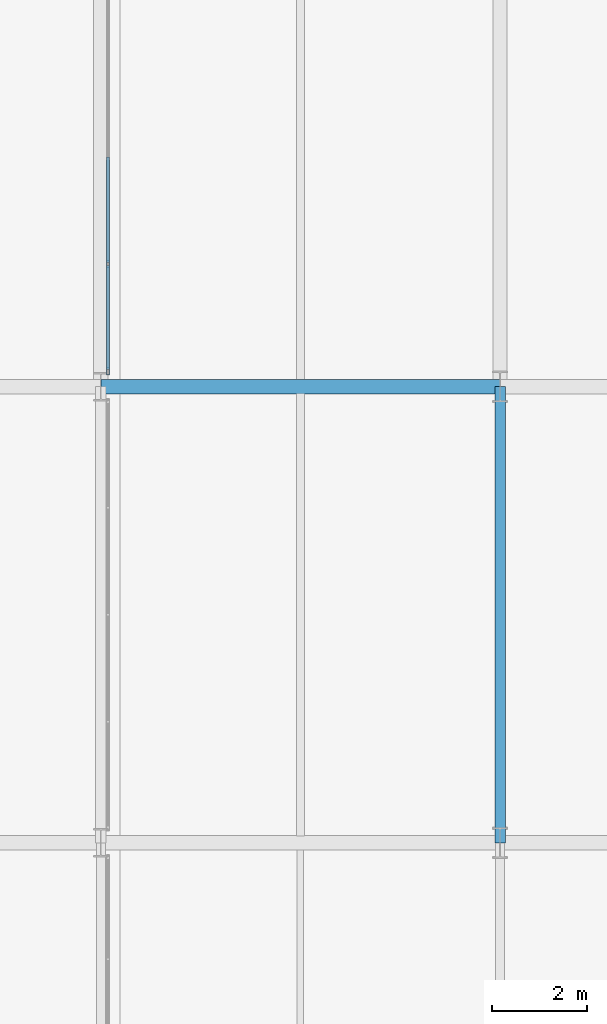
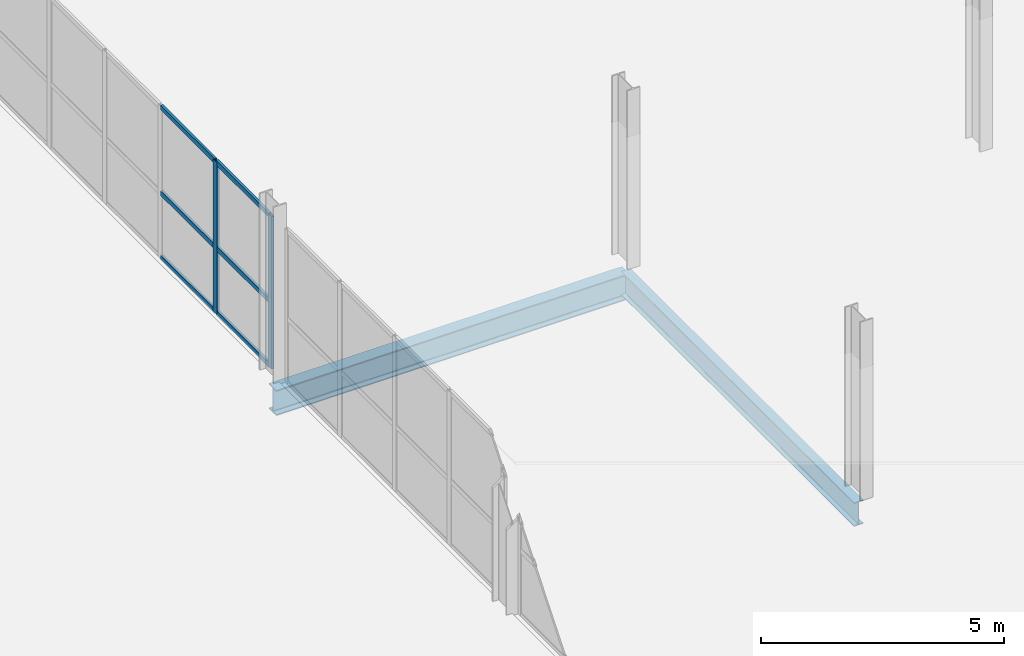
# One storey, part 39 of 130: 8 members, 2 beams, 1 element without a shape of its own.
"""IFC4 building model written with IfcOpenShell, lengths in metres."""

from ifc_helpers import new_model, si_unit, direction, frame, origin, origin_2d, place, context, subcontext, project, spatial, hollow_rectangle, i_section, extrude, material, material_profile, profile_set, type_object, element, aggregate, save


model = new_model("IFC4")

# Units and contexts
model_context = context("Model", 3, precision=1e-05, world=origin(), true_north=direction((0.0, 1.0)))
body_context = subcontext(model_context, "Body", "Model", "MODEL_VIEW")
ifc_project = project(units=[si_unit("LENGTHUNIT", "METRE"), si_unit("AREAUNIT", "SQUARE_METRE"), si_unit("VOLUMEUNIT", "CUBIC_METRE"), si_unit("PLANEANGLEUNIT", "RADIAN"), si_unit("MASSUNIT", "GRAM", prefix="KILO")], contexts=[model_context])

# Site, building, storey
site_placement = place(None, origin())
site = spatial("IfcSite", under=ifc_project, at=site_placement, CompositionType="ELEMENT")
building_placement = place(site_placement, origin())
building = spatial("IfcBuilding", under=site, at=building_placement, Name="Veltarok Museum of Natural Sciences", CompositionType="ELEMENT")
storey_placement = place(building_placement, frame((0.0, 0.0, 12.89990234375)))
storey = spatial("IfcBuildingStorey", under=building, at=storey_placement, Name="L02", CompositionType="ELEMENT", Elevation=12.89990234375)

# Curtain wall, members
ifc_material_1 = material(Name="Low-iron triple insulated glass", Category="glass")
curtain_wall_type = type_object("IfcCurtainWallType", Name="Curtain Wall System CW-V2W-L02-1-1140x383 (CW-V2W L02 1140x383cm)", PredefinedType="NOTDEFINED", material=ifc_material_1)
curtain_wall_placement = place(storey_placement, origin())
curtain_wall = element("IfcCurtainWall", 1, at=curtain_wall_placement, inside=storey, type_object=curtain_wall_type, Name="Curtain Wall CW-V2W-L02-1-1140x383 CW-0141", PredefinedType="NOTDEFINED")
ifc_material_2 = material(Name="Thermally broken anodised aluminium", Category="aluminium")
ifc_material_profile_1 = material_profile(ifc_material_2, hollow_rectangle(XDim=0.06005859375, YDim=0.1201171875, WallThickness=0.0048828125, at=origin_2d()), Name="CW TRANSOM 60x120x5")
ifc_profile_set_1 = profile_set([ifc_material_profile_1], Name="Thermally broken anodised aluminium")
member_type_1 = type_object("IfcMemberType", Name="Curtain Wall Horizontal Transom 60x120x5", PredefinedType="USERDEFINED", material=ifc_profile_set_1)
member_1_placement = place(storey_placement, frame((40.14990234375, 36.360107421875, 0.028076171875), z_axis=(0.0, 1.0, 0.0), x_axis=(-1.0, 0.0, 0.0)))
member_1 = element("IfcMember", 2, at=member_1_placement, type_object=member_type_1, Name="CW-V2W-L02-1-1140x383 transom 1.1", ObjectType="TRANSOM", PredefinedType="USERDEFINED", context=body_context, shape_type="SweptSolid", body=[
    extrude(hollow_rectangle(XDim=0.06005859375, YDim=0.1201171875, WallThickness=0.0048828125, at=origin_2d()), origin(), (0.0, 0.0, 1.0), 2.18994140625),
])
member_2_placement = place(storey_placement, frame((40.14990234375, 36.360107421875, 1.648193359375), z_axis=(0.0, 1.0, 0.0), x_axis=(-1.0, 0.0, 0.0)))
member_2 = element("IfcMember", 3, at=member_2_placement, type_object=member_type_1, Name="CW-V2W-L02-1-1140x383 transom 1.2", ObjectType="TRANSOM", PredefinedType="USERDEFINED", context=body_context, shape_type="SweptSolid", body=[
    extrude(hollow_rectangle(XDim=0.06005859375, YDim=0.1201171875, WallThickness=0.0048828125, at=origin_2d()), origin(), (0.0, 0.0, 1.0), 2.18994140625),
])
member_3_placement = place(storey_placement, frame((40.14990234375, 36.360107421875, 3.800048828125), z_axis=(0.0, 1.0, 0.0), x_axis=(-1.0, 0.0, 0.0)))
member_3 = element("IfcMember", 4, at=member_3_placement, type_object=member_type_1, Name="CW-V2W-L02-1-1140x383 transom 1.3", ObjectType="TRANSOM", PredefinedType="USERDEFINED", context=body_context, shape_type="SweptSolid", body=[
    extrude(hollow_rectangle(XDim=0.06005859375, YDim=0.1201171875, WallThickness=0.0048828125, at=origin_2d()), origin(), (0.0, 0.0, 1.0), 2.18994140625),
])
member_4_placement = place(storey_placement, frame((40.14990234375, 38.610107421875, 0.028076171875), z_axis=(0.0, 1.0, 0.0), x_axis=(-1.0, 0.0, 0.0)))
member_4 = element("IfcMember", 5, at=member_4_placement, type_object=member_type_1, Name="CW-V2W-L02-1-1140x383 transom 2.1", ObjectType="TRANSOM", PredefinedType="USERDEFINED", context=body_context, shape_type="SweptSolid", body=[
    extrude(hollow_rectangle(XDim=0.06005859375, YDim=0.1201171875, WallThickness=0.0048828125, at=origin_2d()), origin(), (0.0, 0.0, 1.0), 2.219970703125),
])
member_5_placement = place(storey_placement, frame((40.14990234375, 38.610107421875, 1.648193359375), z_axis=(0.0, 1.0, 0.0), x_axis=(-1.0, 0.0, 0.0)))
member_5 = element("IfcMember", 6, at=member_5_placement, type_object=member_type_1, Name="CW-V2W-L02-1-1140x383 transom 2.2", ObjectType="TRANSOM", PredefinedType="USERDEFINED", context=body_context, shape_type="SweptSolid", body=[
    extrude(hollow_rectangle(XDim=0.06005859375, YDim=0.1201171875, WallThickness=0.0048828125, at=origin_2d()), origin(), (0.0, 0.0, 1.0), 2.219970703125),
])
member_6_placement = place(storey_placement, frame((40.14990234375, 38.610107421875, 3.800048828125), z_axis=(0.0, 1.0, 0.0), x_axis=(-1.0, 0.0, 0.0)))
member_6 = element("IfcMember", 7, at=member_6_placement, type_object=member_type_1, Name="CW-V2W-L02-1-1140x383 transom 2.3", ObjectType="TRANSOM", PredefinedType="USERDEFINED", context=body_context, shape_type="SweptSolid", body=[
    extrude(hollow_rectangle(XDim=0.06005859375, YDim=0.1201171875, WallThickness=0.0048828125, at=origin_2d()), origin(), (0.0, 0.0, 1.0), 2.219970703125),
])
ifc_material_profile_2 = material_profile(ifc_material_2, hollow_rectangle(XDim=0.06005859375, YDim=0.159912109375, WallThickness=0.0048828125, at=origin_2d()), Name="CW MULLION 60x160x5")
ifc_profile_set_2 = profile_set([ifc_material_profile_2], Name="Thermally broken anodised aluminium")
member_type_2 = type_object("IfcMemberType", Name="Curtain Wall Vertical Mullion 60x160x5", PredefinedType="MULLION", material=ifc_profile_set_2)
member_7_placement = place(storey_placement, frame((40.14990234375, 36.330078125, -0.001953125), z_axis=(0.0, 0.0, 1.0), x_axis=(-1.0, 0.0, 0.0)))
member_7 = element("IfcMember", 8, at=member_7_placement, type_object=member_type_2, Name="CW-V2W-L02-1-1140x383 mullion 1", PredefinedType="MULLION", context=body_context, shape_type="SweptSolid", body=[
    extrude(hollow_rectangle(XDim=0.06005859375, YDim=0.159912109375, WallThickness=0.0048828125, at=origin_2d()), origin(), (0.0, 0.0, 1.0), 3.83203125),
])
member_8_placement = place(storey_placement, frame((40.14990234375, 38.580078125, -0.001953125), z_axis=(0.0, 0.0, 1.0), x_axis=(-1.0, 0.0, 0.0)))
member_8 = element("IfcMember", 9, at=member_8_placement, type_object=member_type_2, Name="CW-V2W-L02-1-1140x383 mullion 2", PredefinedType="MULLION", context=body_context, shape_type="SweptSolid", body=[
    extrude(hollow_rectangle(XDim=0.06005859375, YDim=0.159912109375, WallThickness=0.0048828125, at=origin_2d()), origin(), (0.0, 0.0, 1.0), 3.83203125),
])
aggregate(curtain_wall, [member_7, member_8, member_1, member_2, member_3, member_4, member_5, member_6])

# Beams
ifc_material_3 = material(Name="Steel S355J2", Category="steel")
ifc_material_profile_3 = material_profile(ifc_material_3, i_section(OverallWidth=0.300048828125, OverallDepth=0.639892578125, WebThickness=0.013427734375, FlangeThickness=0.02587890625, FilletRadius=0.027099609375, at=origin_2d()), Name="HEA 650")
ifc_profile_set_3 = profile_set([ifc_material_profile_3], Name="Steel S355J2")
beam_type_1 = type_object("IfcBeamType", Name="Heavy Exhibition Girder HEA 650", PredefinedType="BEAM", material=ifc_profile_set_3)
beam_1_placement = place(storey_placement, frame((40.0, 36.0, -0.56982421875), z_axis=(1.0, 0.0, 0.0), x_axis=(0.0, 1.0, 0.0)))
element("IfcBeam", 10, at=beam_1_placement, inside=storey, type_object=beam_type_1, Name="Beam BM-G08 L02 5-6/E", PredefinedType="BEAM", context=body_context, shape_type="SweptSolid", body=[
    extrude(i_section(OverallWidth=0.300048828125, OverallDepth=0.639892578125, WebThickness=0.013427734375, FlangeThickness=0.02587890625, FilletRadius=0.027099609375, at=origin_2d()), origin(), (0.0, 0.0, 1.0), 8.39990234375),
])
ifc_material_profile_4 = material_profile(ifc_material_3, i_section(OverallWidth=0.219970703125, OverallDepth=0.60009765625, WebThickness=0.011962890625, FlangeThickness=0.01904296875, FilletRadius=0.02392578125, at=origin_2d()), Name="IPE 600")
ifc_profile_set_4 = profile_set([ifc_material_profile_4], Name="Steel S355J2")
beam_type_2 = type_object("IfcBeamType", Name="Primary Museum Girder IPE 600", PredefinedType="BEAM", material=ifc_profile_set_4)
beam_2_placement = place(storey_placement, frame((48.39990234375, 26.39990234375, -0.5498046875), z_axis=(0.0, 1.0, 0.0), x_axis=(-1.0, 0.0, 0.0)))
element("IfcBeam", 11, at=beam_2_placement, inside=storey, type_object=beam_type_2, Name="Beam BM-G02 L02 6/D-E", PredefinedType="BEAM", context=body_context, shape_type="SweptSolid", body=[
    extrude(i_section(OverallWidth=0.219970703125, OverallDepth=0.60009765625, WebThickness=0.011962890625, FlangeThickness=0.01904296875, FilletRadius=0.02392578125, at=origin_2d()), origin(), (0.0, 0.0, 1.0), 9.60009765625),
])

save(model, "model.ifc")
